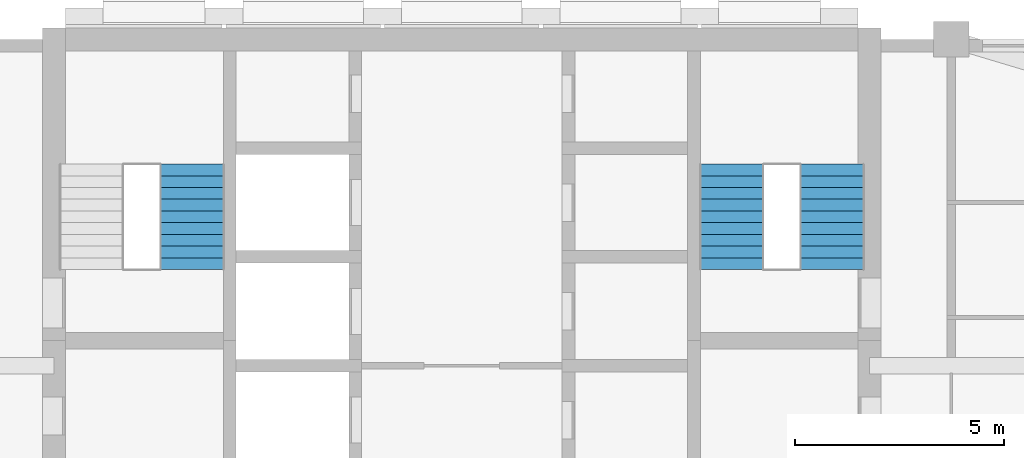
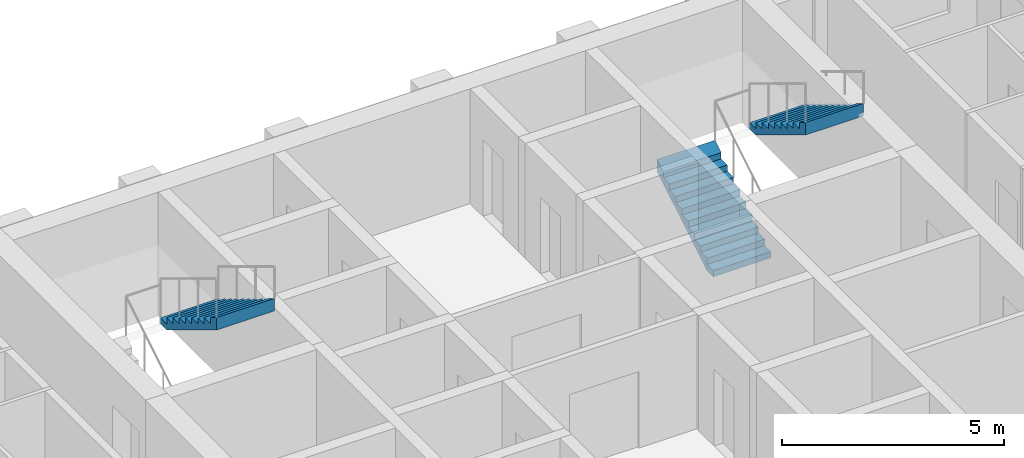
# One storey, part 12 of 14: 3 stair flights, 2 elements without a shape of their own.
"""IFC4 building model written with IfcOpenShell, lengths in metres."""

from ifc_helpers import new_model, si_unit, direction, frame, origin, place, context, subcontext, project, spatial, triangles, material, type_object, element, aggregate, save


model = new_model("IFC4")

# Units and contexts
model_context = context("Model", 3, precision=1e-05, world=origin(), true_north=direction((0.0, 1.0)))
body_context = subcontext(model_context, "Body", "Model", "MODEL_VIEW")
ifc_project = project(units=[si_unit("LENGTHUNIT", "METRE"), si_unit("AREAUNIT", "SQUARE_METRE"), si_unit("VOLUMEUNIT", "CUBIC_METRE"), si_unit("PLANEANGLEUNIT", "RADIAN"), si_unit("MASSUNIT", "GRAM", prefix="KILO")], contexts=[model_context])

# Site, building, storey
site_placement = place(None, origin())
site = spatial("IfcSite", under=ifc_project, at=site_placement, CompositionType="ELEMENT")
building_placement = place(site_placement, origin())
building = spatial("IfcBuilding", under=site, at=building_placement, Name="Ludao Terraces", CompositionType="ELEMENT")
storey_placement = place(building_placement, frame((0.0, 0.0, 103.300048828125)))
storey = spatial("IfcBuildingStorey", under=building, at=storey_placement, Name="L28", CompositionType="ELEMENT", Elevation=103.300048828125)

# Stair, stair flight
ifc_material = material(Name="Concrete C40", Category="concrete")
stair_type = type_object("IfcStairType", Name="INT Stair", PredefinedType="HALF_TURN_STAIR", material=ifc_material)
stair_1_placement = place(storey_placement, origin())
stair_1 = element("IfcStair", 1, at=stair_1_placement, inside=storey, type_object=stair_type, Name="EXIT STAIR 1", PredefinedType="HALF_TURN_STAIR")
stair_flight_type = type_object("IfcStairFlightType", Name="INT Stair flight", PredefinedType="STRAIGHT", material=ifc_material)
stair_flight_1_placement = place(storey_placement, frame((78.550048828125, 81.52001953125, 1.699951171875), z_axis=(0.0, 0.0, 1.0), x_axis=(0.0, -1.0, 0.0)))
stair_flight_1 = element("IfcStairFlight", 2, at=stair_flight_1_placement, type_object=stair_flight_type, Name="ST1 flight 2", NumberOfRisers=10, NumberOfTreads=9, PredefinedType="STRAIGHT", RiserHeight=0.17, TreadLength=0.28, context=body_context, shape_type="Tessellation", body=[
    triangles([(0.0, -0.75, 0.0), (0.0, -0.5, 0.0), (0.0, -0.25, 0.0), (0.0, 0.0, 0.0), (0.0, 0.25, 0.0), (0.0, 0.5, 0.0), (0.0, 0.75, 0.0), (0.0, -0.75, 0.169921875), (0.0, -0.5, 0.169921875), (0.0, -0.25, 0.169921875), (0.0, 0.0, 0.169921875), (0.0, 0.25, 0.169921875), (0.0, 0.5, 0.169921875), (0.0, 0.75, 0.169921875), (0.280029296875, -0.75, 0.169921875), (0.280029296875, -0.5, 0.169921875), (0.280029296875, -0.25, 0.169921875), (0.280029296875, 0.0, 0.169921875), (0.280029296875, 0.25, 0.169921875), (0.280029296875, 0.5, 0.169921875), (0.280029296875, 0.75, 0.169921875), (0.280029296875, -0.75, 0.340087890625), (0.280029296875, -0.5, 0.340087890625), (0.280029296875, -0.25, 0.340087890625), (0.280029296875, 0.0, 0.340087890625), (0.280029296875, 0.25, 0.340087890625), (0.280029296875, 0.5, 0.340087890625), (0.280029296875, 0.75, 0.340087890625), (0.56005859375, -0.75, 0.340087890625), (0.56005859375, -0.5, 0.340087890625), (0.56005859375, -0.25, 0.340087890625), (0.56005859375, 0.0, 0.340087890625), (0.56005859375, 0.25, 0.340087890625), (0.56005859375, 0.5, 0.340087890625), (0.56005859375, 0.75, 0.340087890625), (0.56005859375, -0.75, 0.510009765625), (0.56005859375, -0.5, 0.510009765625), (0.56005859375, -0.25, 0.510009765625), (0.56005859375, 0.0, 0.510009765625), (0.56005859375, 0.25, 0.510009765625), (0.56005859375, 0.5, 0.510009765625), (0.56005859375, 0.75, 0.510009765625), (0.840087890625, -0.75, 0.510009765625), (0.840087890625, -0.5, 0.510009765625), (0.840087890625, -0.25, 0.510009765625), (0.840087890625, 0.0, 0.510009765625), (0.840087890625, 0.25, 0.510009765625), (0.840087890625, 0.5, 0.510009765625), (0.840087890625, 0.75, 0.510009765625), (0.840087890625, -0.75, 0.679931640625), (0.840087890625, -0.5, 0.679931640625), (0.840087890625, -0.25, 0.679931640625), (0.840087890625, 0.0, 0.679931640625), (0.840087890625, 0.25, 0.679931640625), (0.840087890625, 0.5, 0.679931640625), (0.840087890625, 0.75, 0.679931640625), (1.1201171875, -0.75, 0.679931640625), (1.1201171875, -0.5, 0.679931640625), (1.1201171875, -0.25, 0.679931640625), (1.1201171875, 0.0, 0.679931640625), (1.1201171875, 0.25, 0.679931640625), (1.1201171875, 0.5, 0.679931640625), (1.1201171875, 0.75, 0.679931640625), (1.1201171875, -0.75, 0.85009765625), (1.1201171875, -0.5, 0.85009765625), (1.1201171875, -0.25, 0.85009765625), (1.1201171875, 0.0, 0.85009765625), (1.1201171875, 0.25, 0.85009765625), (1.1201171875, 0.5, 0.85009765625), (1.1201171875, 0.75, 0.85009765625), (1.39990234375, -0.75, 0.85009765625), (1.39990234375, -0.5, 0.85009765625), (1.39990234375, -0.25, 0.85009765625), (1.39990234375, 0.0, 0.85009765625), (1.39990234375, 0.25, 0.85009765625), (1.39990234375, 0.5, 0.85009765625), (1.39990234375, 0.75, 0.85009765625), (1.39990234375, -0.75, 1.02001953125), (1.39990234375, -0.5, 1.02001953125), (1.39990234375, -0.25, 1.02001953125), (1.39990234375, 0.0, 1.02001953125), (1.39990234375, 0.25, 1.02001953125), (1.39990234375, 0.5, 1.02001953125), (1.39990234375, 0.75, 1.02001953125), (1.679931640625, -0.75, 1.02001953125), (1.679931640625, -0.5, 1.02001953125), (1.679931640625, -0.25, 1.02001953125), (1.679931640625, 0.0, 1.02001953125), (1.679931640625, 0.25, 1.02001953125), (1.679931640625, 0.5, 1.02001953125), (1.679931640625, 0.75, 1.02001953125), (1.679931640625, -0.75, 1.18994140625), (1.679931640625, -0.5, 1.18994140625), (1.679931640625, -0.25, 1.18994140625), (1.679931640625, 0.0, 1.18994140625), (1.679931640625, 0.25, 1.18994140625), (1.679931640625, 0.5, 1.18994140625), (1.679931640625, 0.75, 1.18994140625), (1.9599609375, -0.75, 1.18994140625), (1.9599609375, -0.5, 1.18994140625), (1.9599609375, -0.25, 1.18994140625), (1.9599609375, 0.0, 1.18994140625), (1.9599609375, 0.25, 1.18994140625), (1.9599609375, 0.5, 1.18994140625), (1.9599609375, 0.75, 1.18994140625), (1.9599609375, -0.75, 1.360107421875), (1.9599609375, -0.5, 1.360107421875), (1.9599609375, -0.25, 1.360107421875), (1.9599609375, 0.0, 1.360107421875), (1.9599609375, 0.25, 1.360107421875), (1.9599609375, 0.5, 1.360107421875), (1.9599609375, 0.75, 1.360107421875), (2.239990234375, -0.75, 1.360107421875), (2.239990234375, -0.5, 1.360107421875), (2.239990234375, -0.25, 1.360107421875), (2.239990234375, 0.0, 1.360107421875), (2.239990234375, 0.25, 1.360107421875), (2.239990234375, 0.5, 1.360107421875), (2.239990234375, 0.75, 1.360107421875), (2.239990234375, -0.75, 1.530029296875), (2.239990234375, -0.5, 1.530029296875), (2.239990234375, -0.25, 1.530029296875), (2.239990234375, 0.0, 1.530029296875), (2.239990234375, 0.25, 1.530029296875), (2.239990234375, 0.5, 1.530029296875), (2.239990234375, 0.75, 1.530029296875), (2.52001953125, -0.75, 1.699951171875), (2.52001953125, -0.5, 1.699951171875), (2.52001953125, -0.25, 1.699951171875), (2.52001953125, 0.0, 1.699951171875), (2.52001953125, 0.25, 1.699951171875), (2.52001953125, 0.5, 1.699951171875), (2.52001953125, 0.75, 1.699951171875), (2.52001953125, -0.75, 1.354736328125), (2.52001953125, -0.5, 1.354736328125), (2.52001953125, -0.25, 1.354736328125), (2.52001953125, 0.0, 1.354736328125), (2.52001953125, 0.25, 1.354736328125), (2.52001953125, 0.5, 1.354736328125), (2.52001953125, 0.75, 1.354736328125), (0.288818359375, -0.75, 0.0), (0.288818359375, -0.5, 0.0), (0.288818359375, -0.25, 0.0), (0.288818359375, 0.0, 0.0), (0.288818359375, 0.25, 0.0), (0.288818359375, 0.5, 0.0), (0.288818359375, 0.75, 0.0)], [[1, 141, 134], [7, 140, 147], [134, 127, 120], [140, 126, 133], [134, 120, 113], [140, 119, 126], [134, 113, 106], [140, 112, 119], [134, 106, 99], [140, 105, 112], [99, 92, 85], [105, 91, 98], [134, 99, 85], [140, 91, 105], [85, 78, 71], [91, 77, 84], [134, 85, 71], [140, 77, 91], [71, 64, 57], [77, 63, 70], [134, 71, 57], [140, 63, 77], [57, 50, 43], [63, 49, 56], [134, 57, 43], [140, 49, 63], [43, 36, 29], [49, 35, 42], [134, 43, 29], [140, 35, 49], [29, 22, 15], [35, 21, 28], [134, 29, 15], [140, 21, 35], [1, 134, 15], [7, 21, 140], [15, 8, 1], [21, 7, 14], [1, 9, 2], [1, 8, 9], [2, 10, 3], [2, 9, 10], [3, 11, 4], [3, 10, 11], [4, 12, 5], [4, 11, 12], [5, 13, 6], [5, 12, 13], [6, 14, 7], [6, 13, 14], [8, 16, 9], [8, 15, 16], [9, 17, 10], [9, 16, 17], [10, 18, 11], [10, 17, 18], [11, 19, 12], [11, 18, 19], [12, 20, 13], [12, 19, 20], [13, 21, 14], [13, 20, 21], [15, 23, 16], [15, 22, 23], [16, 24, 17], [16, 23, 24], [17, 25, 18], [17, 24, 25], [18, 26, 19], [18, 25, 26], [19, 27, 20], [19, 26, 27], [20, 28, 21], [20, 27, 28], [22, 30, 23], [22, 29, 30], [23, 31, 24], [23, 30, 31], [24, 32, 25], [24, 31, 32], [25, 33, 26], [25, 32, 33], [26, 34, 27], [26, 33, 34], [27, 35, 28], [27, 34, 35], [29, 37, 30], [29, 36, 37], [30, 38, 31], [30, 37, 38], [31, 39, 32], [31, 38, 39], [32, 40, 33], [32, 39, 40], [33, 41, 34], [33, 40, 41], [34, 42, 35], [34, 41, 42], [36, 44, 37], [36, 43, 44], [37, 45, 38], [37, 44, 45], [38, 46, 39], [38, 45, 46], [39, 47, 40], [39, 46, 47], [40, 48, 41], [40, 47, 48], [41, 49, 42], [41, 48, 49], [43, 51, 44], [43, 50, 51], [44, 52, 45], [44, 51, 52], [45, 53, 46], [45, 52, 53], [46, 54, 47], [46, 53, 54], [47, 55, 48], [47, 54, 55], [48, 56, 49], [48, 55, 56], [50, 58, 51], [50, 57, 58], [51, 59, 52], [51, 58, 59], [52, 60, 53], [52, 59, 60], [53, 61, 54], [53, 60, 61], [54, 62, 55], [54, 61, 62], [55, 63, 56], [55, 62, 63], [57, 65, 58], [57, 64, 65], [58, 66, 59], [58, 65, 66], [59, 67, 60], [59, 66, 67], [60, 68, 61], [60, 67, 68], [61, 69, 62], [61, 68, 69], [62, 70, 63], [62, 69, 70], [64, 72, 65], [64, 71, 72], [65, 73, 66], [65, 72, 73], [66, 74, 67], [66, 73, 74], [67, 75, 68], [67, 74, 75], [68, 76, 69], [68, 75, 76], [69, 77, 70], [69, 76, 77], [71, 79, 72], [71, 78, 79], [72, 80, 73], [72, 79, 80], [73, 81, 74], [73, 80, 81], [74, 82, 75], [74, 81, 82], [75, 83, 76], [75, 82, 83], [76, 84, 77], [76, 83, 84], [78, 86, 79], [78, 85, 86], [79, 87, 80], [79, 86, 87], [80, 88, 81], [80, 87, 88], [81, 89, 82], [81, 88, 89], [82, 90, 83], [82, 89, 90], [83, 91, 84], [83, 90, 91], [85, 93, 86], [85, 92, 93], [86, 94, 87], [86, 93, 94], [87, 95, 88], [87, 94, 95], [88, 96, 89], [88, 95, 96], [89, 97, 90], [89, 96, 97], [90, 98, 91], [90, 97, 98], [92, 100, 93], [92, 99, 100], [93, 101, 94], [93, 100, 101], [94, 102, 95], [94, 101, 102], [95, 103, 96], [95, 102, 103], [96, 104, 97], [96, 103, 104], [97, 105, 98], [97, 104, 105], [99, 107, 100], [99, 106, 107], [100, 108, 101], [100, 107, 108], [101, 109, 102], [101, 108, 109], [102, 110, 103], [102, 109, 110], [103, 111, 104], [103, 110, 111], [104, 112, 105], [104, 111, 112], [106, 114, 107], [106, 113, 114], [107, 115, 108], [107, 114, 115], [108, 116, 109], [108, 115, 116], [109, 117, 110], [109, 116, 117], [110, 118, 111], [110, 117, 118], [111, 119, 112], [111, 118, 119], [113, 121, 114], [113, 120, 121], [114, 122, 115], [114, 121, 122], [115, 123, 116], [115, 122, 123], [116, 124, 117], [116, 123, 124], [117, 125, 118], [117, 124, 125], [118, 126, 119], [118, 125, 126], [120, 128, 121], [120, 127, 128], [121, 129, 122], [121, 128, 129], [122, 130, 123], [122, 129, 130], [123, 131, 124], [123, 130, 131], [124, 132, 125], [124, 131, 132], [125, 133, 126], [125, 132, 133], [127, 135, 128], [127, 134, 135], [128, 136, 129], [128, 135, 136], [129, 137, 130], [129, 136, 137], [130, 138, 131], [130, 137, 138], [131, 139, 132], [131, 138, 139], [132, 140, 133], [132, 139, 140], [134, 142, 135], [134, 141, 142], [135, 143, 136], [135, 142, 143], [136, 144, 137], [136, 143, 144], [137, 145, 138], [137, 144, 145], [138, 146, 139], [138, 145, 146], [139, 147, 140], [139, 146, 147], [141, 2, 142], [141, 1, 2], [142, 3, 143], [142, 2, 3], [143, 4, 144], [143, 3, 4], [144, 5, 145], [144, 4, 5], [145, 6, 146], [145, 5, 6], [146, 7, 147], [146, 6, 7]], closed=True),
])
aggregate(stair_1, [stair_flight_1])

# Stair, stair flights
stair_2_placement = place(storey_placement, origin())
stair_2 = element("IfcStair", 3, at=stair_2_placement, inside=storey, type_object=stair_type, Name="EXIT STAIR 2", PredefinedType="HALF_TURN_STAIR")
stair_flight_2_placement = place(storey_placement, frame((91.449951171875, 79.0, 0.0), z_axis=(0.0, 0.0, 1.0), x_axis=(0.0, 1.0, 0.0)))
stair_flight_2 = element("IfcStairFlight", 4, at=stair_flight_2_placement, type_object=stair_flight_type, Name="ST2 flight 1", NumberOfRisers=10, NumberOfTreads=9, PredefinedType="STRAIGHT", RiserHeight=0.17, TreadLength=0.28, context=body_context, shape_type="Tessellation", body=[
    triangles([(0.0, -0.75, 0.0), (0.0, -0.5, 0.0), (0.0, -0.25, 0.0), (0.0, 0.0, 0.0), (0.0, 0.25, 0.0), (0.0, 0.5, 0.0), (0.0, 0.75, 0.0), (0.0, -0.75, 0.169921875), (0.0, -0.5, 0.169921875), (0.0, -0.25, 0.169921875), (0.0, 0.0, 0.169921875), (0.0, 0.25, 0.169921875), (0.0, 0.5, 0.169921875), (0.0, 0.75, 0.169921875), (0.280029296875, -0.75, 0.169921875), (0.280029296875, -0.5, 0.169921875), (0.280029296875, -0.25, 0.169921875), (0.280029296875, 0.0, 0.169921875), (0.280029296875, 0.25, 0.169921875), (0.280029296875, 0.5, 0.169921875), (0.280029296875, 0.75, 0.169921875), (0.280029296875, -0.75, 0.340087890625), (0.280029296875, -0.5, 0.340087890625), (0.280029296875, -0.25, 0.340087890625), (0.280029296875, 0.0, 0.340087890625), (0.280029296875, 0.25, 0.340087890625), (0.280029296875, 0.5, 0.340087890625), (0.280029296875, 0.75, 0.340087890625), (0.56005859375, -0.75, 0.340087890625), (0.56005859375, -0.5, 0.340087890625), (0.56005859375, -0.25, 0.340087890625), (0.56005859375, 0.0, 0.340087890625), (0.56005859375, 0.25, 0.340087890625), (0.56005859375, 0.5, 0.340087890625), (0.56005859375, 0.75, 0.340087890625), (0.56005859375, -0.75, 0.510009765625), (0.56005859375, -0.5, 0.510009765625), (0.56005859375, -0.25, 0.510009765625), (0.56005859375, 0.0, 0.510009765625), (0.56005859375, 0.25, 0.510009765625), (0.56005859375, 0.5, 0.510009765625), (0.56005859375, 0.75, 0.510009765625), (0.840087890625, -0.75, 0.510009765625), (0.840087890625, -0.5, 0.510009765625), (0.840087890625, -0.25, 0.510009765625), (0.840087890625, 0.0, 0.510009765625), (0.840087890625, 0.25, 0.510009765625), (0.840087890625, 0.5, 0.510009765625), (0.840087890625, 0.75, 0.510009765625), (0.840087890625, -0.75, 0.679931640625), (0.840087890625, -0.5, 0.679931640625), (0.840087890625, -0.25, 0.679931640625), (0.840087890625, 0.0, 0.679931640625), (0.840087890625, 0.25, 0.679931640625), (0.840087890625, 0.5, 0.679931640625), (0.840087890625, 0.75, 0.679931640625), (1.1201171875, -0.75, 0.679931640625), (1.1201171875, -0.5, 0.679931640625), (1.1201171875, -0.25, 0.679931640625), (1.1201171875, 0.0, 0.679931640625), (1.1201171875, 0.25, 0.679931640625), (1.1201171875, 0.5, 0.679931640625), (1.1201171875, 0.75, 0.679931640625), (1.1201171875, -0.75, 0.85009765625), (1.1201171875, -0.5, 0.85009765625), (1.1201171875, -0.25, 0.85009765625), (1.1201171875, 0.0, 0.85009765625), (1.1201171875, 0.25, 0.85009765625), (1.1201171875, 0.5, 0.85009765625), (1.1201171875, 0.75, 0.85009765625), (1.39990234375, -0.75, 0.85009765625), (1.39990234375, -0.5, 0.85009765625), (1.39990234375, -0.25, 0.85009765625), (1.39990234375, 0.0, 0.85009765625), (1.39990234375, 0.25, 0.85009765625), (1.39990234375, 0.5, 0.85009765625), (1.39990234375, 0.75, 0.85009765625), (1.39990234375, -0.75, 1.02001953125), (1.39990234375, -0.5, 1.02001953125), (1.39990234375, -0.25, 1.02001953125), (1.39990234375, 0.0, 1.02001953125), (1.39990234375, 0.25, 1.02001953125), (1.39990234375, 0.5, 1.02001953125), (1.39990234375, 0.75, 1.02001953125), (1.679931640625, -0.75, 1.02001953125), (1.679931640625, -0.5, 1.02001953125), (1.679931640625, -0.25, 1.02001953125), (1.679931640625, 0.0, 1.02001953125), (1.679931640625, 0.25, 1.02001953125), (1.679931640625, 0.5, 1.02001953125), (1.679931640625, 0.75, 1.02001953125), (1.679931640625, -0.75, 1.18994140625), (1.679931640625, -0.5, 1.18994140625), (1.679931640625, -0.25, 1.18994140625), (1.679931640625, 0.0, 1.18994140625), (1.679931640625, 0.25, 1.18994140625), (1.679931640625, 0.5, 1.18994140625), (1.679931640625, 0.75, 1.18994140625), (1.9599609375, -0.75, 1.18994140625), (1.9599609375, -0.5, 1.18994140625), (1.9599609375, -0.25, 1.18994140625), (1.9599609375, 0.0, 1.18994140625), (1.9599609375, 0.25, 1.18994140625), (1.9599609375, 0.5, 1.18994140625), (1.9599609375, 0.75, 1.18994140625), (1.9599609375, -0.75, 1.360107421875), (1.9599609375, -0.5, 1.360107421875), (1.9599609375, -0.25, 1.360107421875), (1.9599609375, 0.0, 1.360107421875), (1.9599609375, 0.25, 1.360107421875), (1.9599609375, 0.5, 1.360107421875), (1.9599609375, 0.75, 1.360107421875), (2.239990234375, -0.75, 1.360107421875), (2.239990234375, -0.5, 1.360107421875), (2.239990234375, -0.25, 1.360107421875), (2.239990234375, 0.0, 1.360107421875), (2.239990234375, 0.25, 1.360107421875), (2.239990234375, 0.5, 1.360107421875), (2.239990234375, 0.75, 1.360107421875), (2.239990234375, -0.75, 1.530029296875), (2.239990234375, -0.5, 1.530029296875), (2.239990234375, -0.25, 1.530029296875), (2.239990234375, 0.0, 1.530029296875), (2.239990234375, 0.25, 1.530029296875), (2.239990234375, 0.5, 1.530029296875), (2.239990234375, 0.75, 1.530029296875), (2.52001953125, -0.75, 1.699951171875), (2.52001953125, -0.5, 1.699951171875), (2.52001953125, -0.25, 1.699951171875), (2.52001953125, 0.0, 1.699951171875), (2.52001953125, 0.25, 1.699951171875), (2.52001953125, 0.5, 1.699951171875), (2.52001953125, 0.75, 1.699951171875), (2.52001953125, -0.75, 1.354736328125), (2.52001953125, -0.5, 1.354736328125), (2.52001953125, -0.25, 1.354736328125), (2.52001953125, 0.0, 1.354736328125), (2.52001953125, 0.25, 1.354736328125), (2.52001953125, 0.5, 1.354736328125), (2.52001953125, 0.75, 1.354736328125), (0.288818359375, -0.75, 0.0), (0.288818359375, -0.5, 0.0), (0.288818359375, -0.25, 0.0), (0.288818359375, 0.0, 0.0), (0.288818359375, 0.25, 0.0), (0.288818359375, 0.5, 0.0), (0.288818359375, 0.75, 0.0)], [[1, 141, 134], [7, 140, 147], [134, 127, 120], [140, 126, 133], [134, 120, 113], [140, 119, 126], [134, 113, 106], [140, 112, 119], [134, 106, 99], [140, 105, 112], [99, 92, 85], [105, 91, 98], [134, 99, 85], [140, 91, 105], [85, 78, 71], [91, 77, 84], [134, 85, 71], [140, 77, 91], [71, 64, 57], [77, 63, 70], [134, 71, 57], [140, 63, 77], [57, 50, 43], [63, 49, 56], [134, 57, 43], [140, 49, 63], [43, 36, 29], [49, 35, 42], [134, 43, 29], [140, 35, 49], [29, 22, 15], [35, 21, 28], [134, 29, 15], [140, 21, 35], [1, 134, 15], [7, 21, 140], [15, 8, 1], [21, 7, 14], [1, 9, 2], [1, 8, 9], [2, 10, 3], [2, 9, 10], [3, 11, 4], [3, 10, 11], [4, 12, 5], [4, 11, 12], [5, 13, 6], [5, 12, 13], [6, 14, 7], [6, 13, 14], [8, 16, 9], [8, 15, 16], [9, 17, 10], [9, 16, 17], [10, 18, 11], [10, 17, 18], [11, 19, 12], [11, 18, 19], [12, 20, 13], [12, 19, 20], [13, 21, 14], [13, 20, 21], [15, 23, 16], [15, 22, 23], [16, 24, 17], [16, 23, 24], [17, 25, 18], [17, 24, 25], [18, 26, 19], [18, 25, 26], [19, 27, 20], [19, 26, 27], [20, 28, 21], [20, 27, 28], [22, 30, 23], [22, 29, 30], [23, 31, 24], [23, 30, 31], [24, 32, 25], [24, 31, 32], [25, 33, 26], [25, 32, 33], [26, 34, 27], [26, 33, 34], [27, 35, 28], [27, 34, 35], [29, 37, 30], [29, 36, 37], [30, 38, 31], [30, 37, 38], [31, 39, 32], [31, 38, 39], [32, 40, 33], [32, 39, 40], [33, 41, 34], [33, 40, 41], [34, 42, 35], [34, 41, 42], [36, 44, 37], [36, 43, 44], [37, 45, 38], [37, 44, 45], [38, 46, 39], [38, 45, 46], [39, 47, 40], [39, 46, 47], [40, 48, 41], [40, 47, 48], [41, 49, 42], [41, 48, 49], [43, 51, 44], [43, 50, 51], [44, 52, 45], [44, 51, 52], [45, 53, 46], [45, 52, 53], [46, 54, 47], [46, 53, 54], [47, 55, 48], [47, 54, 55], [48, 56, 49], [48, 55, 56], [50, 58, 51], [50, 57, 58], [51, 59, 52], [51, 58, 59], [52, 60, 53], [52, 59, 60], [53, 61, 54], [53, 60, 61], [54, 62, 55], [54, 61, 62], [55, 63, 56], [55, 62, 63], [57, 65, 58], [57, 64, 65], [58, 66, 59], [58, 65, 66], [59, 67, 60], [59, 66, 67], [60, 68, 61], [60, 67, 68], [61, 69, 62], [61, 68, 69], [62, 70, 63], [62, 69, 70], [64, 72, 65], [64, 71, 72], [65, 73, 66], [65, 72, 73], [66, 74, 67], [66, 73, 74], [67, 75, 68], [67, 74, 75], [68, 76, 69], [68, 75, 76], [69, 77, 70], [69, 76, 77], [71, 79, 72], [71, 78, 79], [72, 80, 73], [72, 79, 80], [73, 81, 74], [73, 80, 81], [74, 82, 75], [74, 81, 82], [75, 83, 76], [75, 82, 83], [76, 84, 77], [76, 83, 84], [78, 86, 79], [78, 85, 86], [79, 87, 80], [79, 86, 87], [80, 88, 81], [80, 87, 88], [81, 89, 82], [81, 88, 89], [82, 90, 83], [82, 89, 90], [83, 91, 84], [83, 90, 91], [85, 93, 86], [85, 92, 93], [86, 94, 87], [86, 93, 94], [87, 95, 88], [87, 94, 95], [88, 96, 89], [88, 95, 96], [89, 97, 90], [89, 96, 97], [90, 98, 91], [90, 97, 98], [92, 100, 93], [92, 99, 100], [93, 101, 94], [93, 100, 101], [94, 102, 95], [94, 101, 102], [95, 103, 96], [95, 102, 103], [96, 104, 97], [96, 103, 104], [97, 105, 98], [97, 104, 105], [99, 107, 100], [99, 106, 107], [100, 108, 101], [100, 107, 108], [101, 109, 102], [101, 108, 109], [102, 110, 103], [102, 109, 110], [103, 111, 104], [103, 110, 111], [104, 112, 105], [104, 111, 112], [106, 114, 107], [106, 113, 114], [107, 115, 108], [107, 114, 115], [108, 116, 109], [108, 115, 116], [109, 117, 110], [109, 116, 117], [110, 118, 111], [110, 117, 118], [111, 119, 112], [111, 118, 119], [113, 121, 114], [113, 120, 121], [114, 122, 115], [114, 121, 122], [115, 123, 116], [115, 122, 123], [116, 124, 117], [116, 123, 124], [117, 125, 118], [117, 124, 125], [118, 126, 119], [118, 125, 126], [120, 128, 121], [120, 127, 128], [121, 129, 122], [121, 128, 129], [122, 130, 123], [122, 129, 130], [123, 131, 124], [123, 130, 131], [124, 132, 125], [124, 131, 132], [125, 133, 126], [125, 132, 133], [127, 135, 128], [127, 134, 135], [128, 136, 129], [128, 135, 136], [129, 137, 130], [129, 136, 137], [130, 138, 131], [130, 137, 138], [131, 139, 132], [131, 138, 139], [132, 140, 133], [132, 139, 140], [134, 142, 135], [134, 141, 142], [135, 143, 136], [135, 142, 143], [136, 144, 137], [136, 143, 144], [137, 145, 138], [137, 144, 145], [138, 146, 139], [138, 145, 146], [139, 147, 140], [139, 146, 147], [141, 2, 142], [141, 1, 2], [142, 3, 143], [142, 2, 3], [143, 4, 144], [143, 3, 4], [144, 5, 145], [144, 4, 5], [145, 6, 146], [145, 5, 6], [146, 7, 147], [146, 6, 7]], closed=True),
])
stair_flight_3_placement = place(storey_placement, frame((93.85009765625, 81.52001953125, 1.699951171875), z_axis=(0.0, 0.0, 1.0), x_axis=(0.0, -1.0, 0.0)))
stair_flight_3 = element("IfcStairFlight", 5, at=stair_flight_3_placement, type_object=stair_flight_type, Name="ST2 flight 2", NumberOfRisers=10, NumberOfTreads=9, PredefinedType="STRAIGHT", RiserHeight=0.17, TreadLength=0.28, context=body_context, shape_type="Tessellation", body=[
    triangles([(0.0, -0.75, 0.0), (0.0, -0.5, 0.0), (0.0, -0.25, 0.0), (0.0, 0.0, 0.0), (0.0, 0.25, 0.0), (0.0, 0.5, 0.0), (0.0, 0.75, 0.0), (0.0, -0.75, 0.169921875), (0.0, -0.5, 0.169921875), (0.0, -0.25, 0.169921875), (0.0, 0.0, 0.169921875), (0.0, 0.25, 0.169921875), (0.0, 0.5, 0.169921875), (0.0, 0.75, 0.169921875), (0.280029296875, -0.75, 0.169921875), (0.280029296875, -0.5, 0.169921875), (0.280029296875, -0.25, 0.169921875), (0.280029296875, 0.0, 0.169921875), (0.280029296875, 0.25, 0.169921875), (0.280029296875, 0.5, 0.169921875), (0.280029296875, 0.75, 0.169921875), (0.280029296875, -0.75, 0.340087890625), (0.280029296875, -0.5, 0.340087890625), (0.280029296875, -0.25, 0.340087890625), (0.280029296875, 0.0, 0.340087890625), (0.280029296875, 0.25, 0.340087890625), (0.280029296875, 0.5, 0.340087890625), (0.280029296875, 0.75, 0.340087890625), (0.56005859375, -0.75, 0.340087890625), (0.56005859375, -0.5, 0.340087890625), (0.56005859375, -0.25, 0.340087890625), (0.56005859375, 0.0, 0.340087890625), (0.56005859375, 0.25, 0.340087890625), (0.56005859375, 0.5, 0.340087890625), (0.56005859375, 0.75, 0.340087890625), (0.56005859375, -0.75, 0.510009765625), (0.56005859375, -0.5, 0.510009765625), (0.56005859375, -0.25, 0.510009765625), (0.56005859375, 0.0, 0.510009765625), (0.56005859375, 0.25, 0.510009765625), (0.56005859375, 0.5, 0.510009765625), (0.56005859375, 0.75, 0.510009765625), (0.840087890625, -0.75, 0.510009765625), (0.840087890625, -0.5, 0.510009765625), (0.840087890625, -0.25, 0.510009765625), (0.840087890625, 0.0, 0.510009765625), (0.840087890625, 0.25, 0.510009765625), (0.840087890625, 0.5, 0.510009765625), (0.840087890625, 0.75, 0.510009765625), (0.840087890625, -0.75, 0.679931640625), (0.840087890625, -0.5, 0.679931640625), (0.840087890625, -0.25, 0.679931640625), (0.840087890625, 0.0, 0.679931640625), (0.840087890625, 0.25, 0.679931640625), (0.840087890625, 0.5, 0.679931640625), (0.840087890625, 0.75, 0.679931640625), (1.1201171875, -0.75, 0.679931640625), (1.1201171875, -0.5, 0.679931640625), (1.1201171875, -0.25, 0.679931640625), (1.1201171875, 0.0, 0.679931640625), (1.1201171875, 0.25, 0.679931640625), (1.1201171875, 0.5, 0.679931640625), (1.1201171875, 0.75, 0.679931640625), (1.1201171875, -0.75, 0.85009765625), (1.1201171875, -0.5, 0.85009765625), (1.1201171875, -0.25, 0.85009765625), (1.1201171875, 0.0, 0.85009765625), (1.1201171875, 0.25, 0.85009765625), (1.1201171875, 0.5, 0.85009765625), (1.1201171875, 0.75, 0.85009765625), (1.39990234375, -0.75, 0.85009765625), (1.39990234375, -0.5, 0.85009765625), (1.39990234375, -0.25, 0.85009765625), (1.39990234375, 0.0, 0.85009765625), (1.39990234375, 0.25, 0.85009765625), (1.39990234375, 0.5, 0.85009765625), (1.39990234375, 0.75, 0.85009765625), (1.39990234375, -0.75, 1.02001953125), (1.39990234375, -0.5, 1.02001953125), (1.39990234375, -0.25, 1.02001953125), (1.39990234375, 0.0, 1.02001953125), (1.39990234375, 0.25, 1.02001953125), (1.39990234375, 0.5, 1.02001953125), (1.39990234375, 0.75, 1.02001953125), (1.679931640625, -0.75, 1.02001953125), (1.679931640625, -0.5, 1.02001953125), (1.679931640625, -0.25, 1.02001953125), (1.679931640625, 0.0, 1.02001953125), (1.679931640625, 0.25, 1.02001953125), (1.679931640625, 0.5, 1.02001953125), (1.679931640625, 0.75, 1.02001953125), (1.679931640625, -0.75, 1.18994140625), (1.679931640625, -0.5, 1.18994140625), (1.679931640625, -0.25, 1.18994140625), (1.679931640625, 0.0, 1.18994140625), (1.679931640625, 0.25, 1.18994140625), (1.679931640625, 0.5, 1.18994140625), (1.679931640625, 0.75, 1.18994140625), (1.9599609375, -0.75, 1.18994140625), (1.9599609375, -0.5, 1.18994140625), (1.9599609375, -0.25, 1.18994140625), (1.9599609375, 0.0, 1.18994140625), (1.9599609375, 0.25, 1.18994140625), (1.9599609375, 0.5, 1.18994140625), (1.9599609375, 0.75, 1.18994140625), (1.9599609375, -0.75, 1.360107421875), (1.9599609375, -0.5, 1.360107421875), (1.9599609375, -0.25, 1.360107421875), (1.9599609375, 0.0, 1.360107421875), (1.9599609375, 0.25, 1.360107421875), (1.9599609375, 0.5, 1.360107421875), (1.9599609375, 0.75, 1.360107421875), (2.239990234375, -0.75, 1.360107421875), (2.239990234375, -0.5, 1.360107421875), (2.239990234375, -0.25, 1.360107421875), (2.239990234375, 0.0, 1.360107421875), (2.239990234375, 0.25, 1.360107421875), (2.239990234375, 0.5, 1.360107421875), (2.239990234375, 0.75, 1.360107421875), (2.239990234375, -0.75, 1.530029296875), (2.239990234375, -0.5, 1.530029296875), (2.239990234375, -0.25, 1.530029296875), (2.239990234375, 0.0, 1.530029296875), (2.239990234375, 0.25, 1.530029296875), (2.239990234375, 0.5, 1.530029296875), (2.239990234375, 0.75, 1.530029296875), (2.52001953125, -0.75, 1.699951171875), (2.52001953125, -0.5, 1.699951171875), (2.52001953125, -0.25, 1.699951171875), (2.52001953125, 0.0, 1.699951171875), (2.52001953125, 0.25, 1.699951171875), (2.52001953125, 0.5, 1.699951171875), (2.52001953125, 0.75, 1.699951171875), (2.52001953125, -0.75, 1.354736328125), (2.52001953125, -0.5, 1.354736328125), (2.52001953125, -0.25, 1.354736328125), (2.52001953125, 0.0, 1.354736328125), (2.52001953125, 0.25, 1.354736328125), (2.52001953125, 0.5, 1.354736328125), (2.52001953125, 0.75, 1.354736328125), (0.288818359375, -0.75, 0.0), (0.288818359375, -0.5, 0.0), (0.288818359375, -0.25, 0.0), (0.288818359375, 0.0, 0.0), (0.288818359375, 0.25, 0.0), (0.288818359375, 0.5, 0.0), (0.288818359375, 0.75, 0.0)], [[1, 141, 134], [7, 140, 147], [134, 127, 120], [140, 126, 133], [134, 120, 113], [140, 119, 126], [134, 113, 106], [140, 112, 119], [134, 106, 99], [140, 105, 112], [99, 92, 85], [105, 91, 98], [134, 99, 85], [140, 91, 105], [85, 78, 71], [91, 77, 84], [134, 85, 71], [140, 77, 91], [71, 64, 57], [77, 63, 70], [134, 71, 57], [140, 63, 77], [57, 50, 43], [63, 49, 56], [134, 57, 43], [140, 49, 63], [43, 36, 29], [49, 35, 42], [134, 43, 29], [140, 35, 49], [29, 22, 15], [35, 21, 28], [134, 29, 15], [140, 21, 35], [1, 134, 15], [7, 21, 140], [15, 8, 1], [21, 7, 14], [1, 9, 2], [1, 8, 9], [2, 10, 3], [2, 9, 10], [3, 11, 4], [3, 10, 11], [4, 12, 5], [4, 11, 12], [5, 13, 6], [5, 12, 13], [6, 14, 7], [6, 13, 14], [8, 16, 9], [8, 15, 16], [9, 17, 10], [9, 16, 17], [10, 18, 11], [10, 17, 18], [11, 19, 12], [11, 18, 19], [12, 20, 13], [12, 19, 20], [13, 21, 14], [13, 20, 21], [15, 23, 16], [15, 22, 23], [16, 24, 17], [16, 23, 24], [17, 25, 18], [17, 24, 25], [18, 26, 19], [18, 25, 26], [19, 27, 20], [19, 26, 27], [20, 28, 21], [20, 27, 28], [22, 30, 23], [22, 29, 30], [23, 31, 24], [23, 30, 31], [24, 32, 25], [24, 31, 32], [25, 33, 26], [25, 32, 33], [26, 34, 27], [26, 33, 34], [27, 35, 28], [27, 34, 35], [29, 37, 30], [29, 36, 37], [30, 38, 31], [30, 37, 38], [31, 39, 32], [31, 38, 39], [32, 40, 33], [32, 39, 40], [33, 41, 34], [33, 40, 41], [34, 42, 35], [34, 41, 42], [36, 44, 37], [36, 43, 44], [37, 45, 38], [37, 44, 45], [38, 46, 39], [38, 45, 46], [39, 47, 40], [39, 46, 47], [40, 48, 41], [40, 47, 48], [41, 49, 42], [41, 48, 49], [43, 51, 44], [43, 50, 51], [44, 52, 45], [44, 51, 52], [45, 53, 46], [45, 52, 53], [46, 54, 47], [46, 53, 54], [47, 55, 48], [47, 54, 55], [48, 56, 49], [48, 55, 56], [50, 58, 51], [50, 57, 58], [51, 59, 52], [51, 58, 59], [52, 60, 53], [52, 59, 60], [53, 61, 54], [53, 60, 61], [54, 62, 55], [54, 61, 62], [55, 63, 56], [55, 62, 63], [57, 65, 58], [57, 64, 65], [58, 66, 59], [58, 65, 66], [59, 67, 60], [59, 66, 67], [60, 68, 61], [60, 67, 68], [61, 69, 62], [61, 68, 69], [62, 70, 63], [62, 69, 70], [64, 72, 65], [64, 71, 72], [65, 73, 66], [65, 72, 73], [66, 74, 67], [66, 73, 74], [67, 75, 68], [67, 74, 75], [68, 76, 69], [68, 75, 76], [69, 77, 70], [69, 76, 77], [71, 79, 72], [71, 78, 79], [72, 80, 73], [72, 79, 80], [73, 81, 74], [73, 80, 81], [74, 82, 75], [74, 81, 82], [75, 83, 76], [75, 82, 83], [76, 84, 77], [76, 83, 84], [78, 86, 79], [78, 85, 86], [79, 87, 80], [79, 86, 87], [80, 88, 81], [80, 87, 88], [81, 89, 82], [81, 88, 89], [82, 90, 83], [82, 89, 90], [83, 91, 84], [83, 90, 91], [85, 93, 86], [85, 92, 93], [86, 94, 87], [86, 93, 94], [87, 95, 88], [87, 94, 95], [88, 96, 89], [88, 95, 96], [89, 97, 90], [89, 96, 97], [90, 98, 91], [90, 97, 98], [92, 100, 93], [92, 99, 100], [93, 101, 94], [93, 100, 101], [94, 102, 95], [94, 101, 102], [95, 103, 96], [95, 102, 103], [96, 104, 97], [96, 103, 104], [97, 105, 98], [97, 104, 105], [99, 107, 100], [99, 106, 107], [100, 108, 101], [100, 107, 108], [101, 109, 102], [101, 108, 109], [102, 110, 103], [102, 109, 110], [103, 111, 104], [103, 110, 111], [104, 112, 105], [104, 111, 112], [106, 114, 107], [106, 113, 114], [107, 115, 108], [107, 114, 115], [108, 116, 109], [108, 115, 116], [109, 117, 110], [109, 116, 117], [110, 118, 111], [110, 117, 118], [111, 119, 112], [111, 118, 119], [113, 121, 114], [113, 120, 121], [114, 122, 115], [114, 121, 122], [115, 123, 116], [115, 122, 123], [116, 124, 117], [116, 123, 124], [117, 125, 118], [117, 124, 125], [118, 126, 119], [118, 125, 126], [120, 128, 121], [120, 127, 128], [121, 129, 122], [121, 128, 129], [122, 130, 123], [122, 129, 130], [123, 131, 124], [123, 130, 131], [124, 132, 125], [124, 131, 132], [125, 133, 126], [125, 132, 133], [127, 135, 128], [127, 134, 135], [128, 136, 129], [128, 135, 136], [129, 137, 130], [129, 136, 137], [130, 138, 131], [130, 137, 138], [131, 139, 132], [131, 138, 139], [132, 140, 133], [132, 139, 140], [134, 142, 135], [134, 141, 142], [135, 143, 136], [135, 142, 143], [136, 144, 137], [136, 143, 144], [137, 145, 138], [137, 144, 145], [138, 146, 139], [138, 145, 146], [139, 147, 140], [139, 146, 147], [141, 2, 142], [141, 1, 2], [142, 3, 143], [142, 2, 3], [143, 4, 144], [143, 3, 4], [144, 5, 145], [144, 4, 5], [145, 6, 146], [145, 5, 6], [146, 7, 147], [146, 6, 7]], closed=True),
])
aggregate(stair_2, [stair_flight_2, stair_flight_3])

save(model, "model.ifc")
